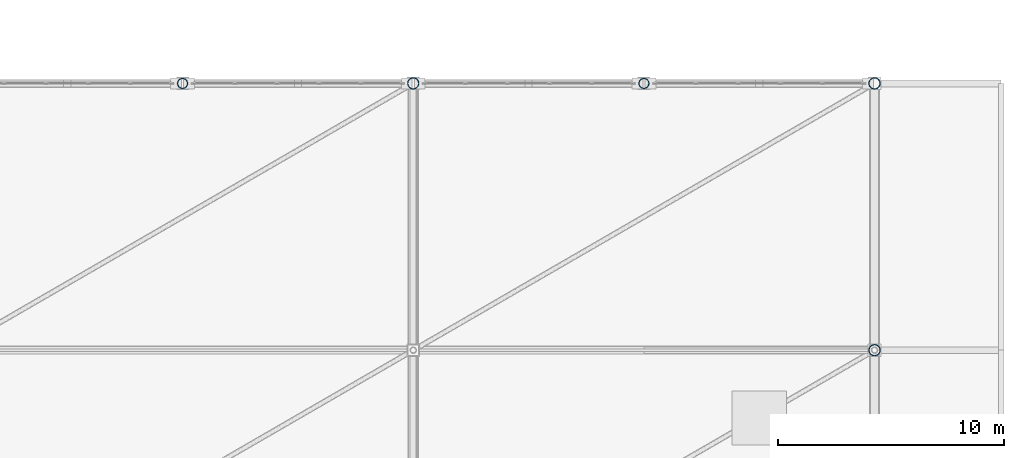
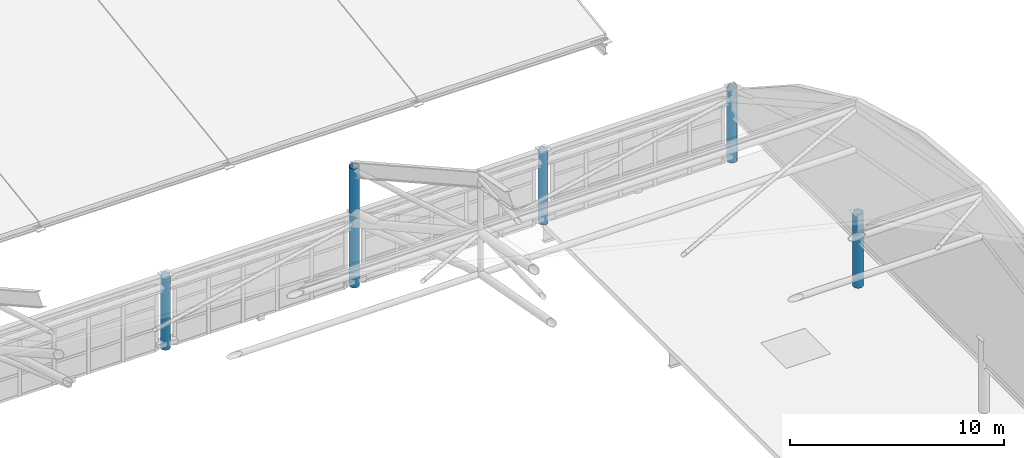
# One storey, part 13 of 135: 6 columns.
"""IFC4 building model written with IfcOpenShell, lengths in metres."""

import ifcopenshell
import ifcopenshell.guid

model = None  # the IFC model being written
_history = None  # IfcOwnerHistory: only IFC2X3 demands one
_inside = {}  # id of a spatial element -> (the spatial element, [elements in it])
_under = {}  # id of a project, library or spatial element -> (it, [spatial elements below it])
_declared = {}  # id of a project -> (the project, [libraries it declares])
_typed = {}  # id of a type object -> (the type object, [elements of that type])
_made_of = {}  # id of a material, layer set ... -> (it, [elements and type objects made of it])


def new_model(schema):
    """Start an empty IFC model of exactly this schema.

    Asked for "IFC4X3", IfcOpenShell would pick the latest addendum, in which some entities
    have other attributes; the version numbers below select the first issue.
    IFC2X3 requires an IfcOwnerHistory on every rooted entity: one is made here for all.
    """
    global model, _history
    if schema == "IFC4X3":
        model = ifcopenshell.file(schema_version=(4, 3, 0, 0))
    else:
        model = ifcopenshell.file(schema=schema)
    _inside.clear()
    _under.clear()
    _declared.clear()
    _typed.clear()
    _made_of.clear()
    _history = None
    if model.schema == "IFC2X3":
        org = make("IfcOrganization", Name="unknown")
        user = make(
            "IfcPersonAndOrganization",
            ThePerson=make("IfcPerson", FamilyName="unknown"),
            TheOrganization=org,
        )
        app = make(
            "IfcApplication",
            ApplicationDeveloper=org,
            Version="unknown",
            ApplicationFullName="unknown",
            ApplicationIdentifier="unknown",
        )
        _history = make(
            "IfcOwnerHistory",
            OwningUser=user,
            OwningApplication=app,
            ChangeAction="ADDED",
            CreationDate=0,
        )
    return model


def make(cls, **values):
    """One entity of the class cls with the attributes given. An attribute that is None is left unset."""
    return model.create_entity(
        cls, **{name: value for name, value in values.items() if value is not None}
    )


def rooted(cls, **values):
    """An entity with a GlobalId (a new one), such as an element, a storey or a relation."""
    return make(cls, GlobalId=ifcopenshell.guid.new(), OwnerHistory=_history, **values)


def si_unit(unit_type, name, prefix=None):
    """IfcSIUnit, for example si_unit("LENGTHUNIT", "METRE", prefix="MILLI")."""
    return make("IfcSIUnit", UnitType=unit_type, Prefix=prefix, Name=name)


def assignment(units):
    """IfcUnitAssignment: the units of a project."""
    return None if units is None else make("IfcUnitAssignment", Units=units)


def point(xyz):
    """IfcCartesianPoint."""
    return None if xyz is None else make("IfcCartesianPoint", Coordinates=xyz)


def direction(xyz):
    """IfcDirection."""
    return None if xyz is None else make("IfcDirection", DirectionRatios=xyz)


def frame(location, z_axis=None, x_axis=None):
    """IfcAxis2Placement3D, a coordinate frame: its origin and axes. An axis left out is left unset."""
    return make(
        "IfcAxis2Placement3D",
        Location=point(location),
        Axis=direction(z_axis),
        RefDirection=direction(x_axis),
    )


def frame_2d(location, x_axis=None):
    """IfcAxis2Placement2D, a coordinate frame in the plane: its origin and x axis."""
    return make(
        "IfcAxis2Placement2D", Location=point(location), RefDirection=direction(x_axis)
    )


def origin():
    """The frame at (0, 0, 0) with its axes left unset."""
    return frame((0.0, 0.0, 0.0))


def origin_2d():
    """The frame at (0, 0) in the plane with its x axis left unset."""
    return frame_2d((0.0, 0.0))


def place(relative_to, where):
    """IfcLocalPlacement: puts the frame where relative to a parent placement (None: the world)."""
    return make(
        "IfcLocalPlacement", PlacementRelTo=relative_to, RelativePlacement=where
    )


def context(
    kind, dimensions, precision=None, world=None, true_north=None, identifier=None
):
    """IfcGeometricRepresentationContext, for example the 3D "Model" context."""
    return make(
        "IfcGeometricRepresentationContext",
        ContextIdentifier=identifier,
        ContextType=kind,
        CoordinateSpaceDimension=dimensions,
        Precision=precision,
        WorldCoordinateSystem=world,
        TrueNorth=true_north,
    )


def subcontext(parent, identifier, kind, view, scale=None):
    """IfcGeometricRepresentationSubContext, for example "Body" below "Model"."""
    return make(
        "IfcGeometricRepresentationSubContext",
        ContextIdentifier=identifier,
        ContextType=kind,
        ParentContext=parent,
        TargetScale=scale,
        TargetView=view,
    )


def project(units=None, contexts=None):
    """IfcProject with its units and contexts."""
    return rooted(
        "IfcProject",
        Name="project",
        RepresentationContexts=contexts,
        UnitsInContext=assignment(units),
    )


def spatial(cls, under=None, at=None, **own):
    """A site, building, storey or space (cls), placed at a placement, below another one or the project."""
    s = rooted(cls, ObjectPlacement=at, **own)
    if under is not None:
        _under.setdefault(under.id(), (under, []))[1].append(s)
    return s


def profile(cls, at=None, kind="AREA", **sizes):
    """A parametric profile (cls). Its sizes go by their IFC names, for example OverallWidth=200.0."""
    return make(cls, ProfileType=kind, Position=at, **sizes)


def hollow_circle(**sizes):
    """IfcCircleHollowProfileDef."""
    return profile("IfcCircleHollowProfileDef", **sizes)


def extrude(swept, where, along, depth):
    """IfcExtrudedAreaSolid: the profile swept, set in the frame where, extruded along a direction by depth."""
    return make(
        "IfcExtrudedAreaSolid",
        SweptArea=swept,
        Position=where,
        ExtrudedDirection=direction(along),
        Depth=depth,
    )


def shape(context_of_items, identifier, shape_type, items):
    """IfcShapeRepresentation: the items that make up one representation, for example the "Body"."""
    return make(
        "IfcShapeRepresentation",
        ContextOfItems=context_of_items,
        RepresentationIdentifier=identifier,
        RepresentationType=shape_type,
        Items=items,
    )


def material(Name=None, Category=None):
    """IfcMaterial."""
    return make("IfcMaterial", Name=Name, Category=Category)


def material_profile(
    of_material, cross_section, Name=None, Category=None, Priority=None
):
    """IfcMaterialProfile: a cross section and its material."""
    return make(
        "IfcMaterialProfile",
        Name=Name,
        Material=of_material,
        Profile=cross_section,
        Priority=Priority,
        Category=Category,
    )


def profile_set(profiles, Name=None, composite=None):
    """IfcMaterialProfileSet."""
    return make(
        "IfcMaterialProfileSet",
        Name=Name,
        MaterialProfiles=profiles,
        CompositeProfile=composite,
    )


def made_of(thing, what):
    """Note that an element or type object is made of a material, layer set ...; save() writes the relation."""
    if what is not None:
        _made_of.setdefault(what.id(), (what, []))[1].append(thing)
    return thing


def type_object(cls, material=None, **own):
    """A type object (cls), such as IfcWallType, which elements share."""
    return made_of(rooted(cls, **own), material)


def element(
    cls,
    number,
    at=None,
    inside=None,
    cuts=None,
    type_object=None,
    material=None,
    context=None,
    identifier="Body",
    shape_type=None,
    held_by="IfcProductDefinitionShape",
    body=None,
    shapes=None,
    **own,
):
    """One element of the class cls, such as IfcWall. Its Tag is "e" and its number.

    at: its placement. inside: the storey or other place that contains it. cuts: it is an
    opening in that element (IfcRelVoidsElement). A single representation is given by context,
    identifier, shape_type and body (its items); several are given by shapes. held_by: the class
    of the entity that holds the representations. save() writes the other relations.
    """
    e = rooted(cls, Tag="e%d" % number, ObjectPlacement=at, **own)
    if body is not None:
        shapes = [shape(context, identifier, shape_type, body)]
    if shapes is not None:
        e.Representation = make(held_by, Representations=shapes)
    if inside is not None:
        _inside.setdefault(inside.id(), (inside, []))[1].append(e)
    if cuts is not None:
        rooted(
            "IfcRelVoidsElement", RelatingBuildingElement=cuts, RelatedOpeningElement=e
        )
    if type_object is not None:
        _typed.setdefault(type_object.id(), (type_object, []))[1].append(e)
    return made_of(e, material)


def aggregate(whole, parts):
    """IfcRelAggregates: a whole, such as a stair, and the parts it consists of."""
    return rooted("IfcRelAggregates", RelatingObject=whole, RelatedObjects=parts)


def save(model, path):
    """Write the relations noted so far, then the file.

    IfcRelAggregates (storeys below a building ...), IfcRelContainedInSpatialStructure (elements
    in a storey), IfcRelDefinesByType, IfcRelAssociatesMaterial and IfcRelDeclares: one each for
    every whole, place, type object, material and project.
    """
    for whole, parts in _under.values():
        aggregate(whole, parts)
    for where, things in _inside.values():
        rooted(
            "IfcRelContainedInSpatialStructure",
            RelatedElements=things,
            RelatingStructure=where,
        )
    for kind, things in _typed.values():
        rooted("IfcRelDefinesByType", RelatedObjects=things, RelatingType=kind)
    for what, things in _made_of.values():
        rooted("IfcRelAssociatesMaterial", RelatedObjects=things, RelatingMaterial=what)
    for by, libraries in _declared.values():
        rooted("IfcRelDeclares", RelatingContext=by, RelatedDefinitions=libraries)
    model.write(path)


model = new_model("IFC4")

# Units and contexts
model_context = context("Model", 3, precision=1e-05, world=origin(), true_north=direction((0.0, 1.0)))
body_context = subcontext(model_context, "Body", "Model", "MODEL_VIEW")
ifc_project = project(units=[si_unit("LENGTHUNIT", "METRE"), si_unit("AREAUNIT", "SQUARE_METRE"), si_unit("VOLUMEUNIT", "CUBIC_METRE"), si_unit("PLANEANGLEUNIT", "RADIAN"), si_unit("MASSUNIT", "GRAM", prefix="KILO")], contexts=[model_context])

# Site, building, storey
site_placement = place(None, origin())
site = spatial("IfcSite", under=ifc_project, at=site_placement, CompositionType="ELEMENT")
building_placement = place(site_placement, origin())
building = spatial("IfcBuilding", under=site, at=building_placement, Name="Brelvane Convention Centre", CompositionType="ELEMENT")
storey_placement = place(building_placement, frame((0.0, 0.0, 15.0)))
storey = spatial("IfcBuildingStorey", under=building, at=storey_placement, Name="L03", CompositionType="ELEMENT", Elevation=15.0)

# Columns
ifc_material_1 = material(Name="Steel E450 (450 MPa)", Category="steel")
ifc_material_profile_1 = material_profile(ifc_material_1, hollow_circle(Radius=0.25390625, WallThickness=0.02001953125, at=origin_2d()), Name="CHS 508.0x20.0")
ifc_profile_set_1 = profile_set([ifc_material_profile_1], Name="Steel E450 (450 MPa)")
column_type_1 = type_object("IfcColumnType", Name="Steel Column C-ST2 (CHS 508.0x20.0)", PredefinedType="COLUMN", material=ifc_profile_set_1)
for number, where, z_axis, x_axis, name in (
    (1, (204.0, 87.800048828125, 0.0), (0.0, 0.0, 1.0), (1.0, 0.0, 0.0), "Column 21-J (L03)"),
    (2, (224.39990234375, 76.0, 0.0), (0.0, 0.0, 1.0), (1.0, 0.0, 0.0), "Column 23-H (L03)"),
    (3, (224.39990234375, 87.800048828125, 0.0), (0.0, 0.0, 1.0), (1.0, 0.0, 0.0), "Column 23-J (L03)"),
):
    element("IfcColumn", number, at=place(storey_placement, frame(where, z_axis=z_axis, x_axis=x_axis)), inside=storey, type_object=column_type_1, Name=name, PredefinedType="COLUMN", context=body_context, shape_type="SweptSolid", body=[
        extrude(hollow_circle(Radius=0.25390625, WallThickness=0.02001953125, at=origin_2d()), origin(), (0.0, 0.0, 1.0), 4.199951171875),
    ])
column_placement = place(storey_placement, frame((204.0, 87.800048828125, 4.199951171875), z_axis=(0.0, 0.0, 1.0), x_axis=(1.0, 0.0, 0.0)))
element("IfcColumn", 4, at=column_placement, inside=storey, type_object=column_type_1, Name="EXO_PLEN Exoskeletal Eaves Mast 3-N", PredefinedType="COLUMN", context=body_context, shape_type="SweptSolid", body=[
    extrude(hollow_circle(Radius=0.25390625, WallThickness=0.02001953125, at=origin_2d()), origin(), (0.0, 0.0, 1.0), 2.60009765625),
])
ifc_material_2 = material(Name="Steel E450 (450 MPa)", Category="steel")
ifc_material_profile_2 = material_profile(ifc_material_2, hollow_circle(Radius=0.228515625, WallThickness=0.02001953125, at=origin_2d()), Name="CHS 457.0x20.0")
ifc_profile_set_2 = profile_set([ifc_material_profile_2], Name="Steel E450 (450 MPa)")
column_type_2 = type_object("IfcColumnType", Name="Steel Column C-ST3 (CHS 457.0x20.0)", PredefinedType="COLUMN", material=ifc_profile_set_2)
for number, where, z_axis, x_axis, name in (
    (5, (193.800048828125, 87.800048828125, 0.0), (0.0, 0.0, 1.0), (1.0, 0.0, 0.0), "Column 20-J (L03)"),
    (6, (214.199951171875, 87.800048828125, 0.0), (0.0, 0.0, 1.0), (1.0, 0.0, 0.0), "Column 22-J (L03)"),
):
    element("IfcColumn", number, at=place(storey_placement, frame(where, z_axis=z_axis, x_axis=x_axis)), inside=storey, type_object=column_type_2, Name=name, PredefinedType="COLUMN", context=body_context, shape_type="SweptSolid", body=[
        extrude(hollow_circle(Radius=0.228515625, WallThickness=0.02001953125, at=origin_2d()), origin(), (0.0, 0.0, 1.0), 4.199951171875),
    ])

save(model, "model.ifc")
